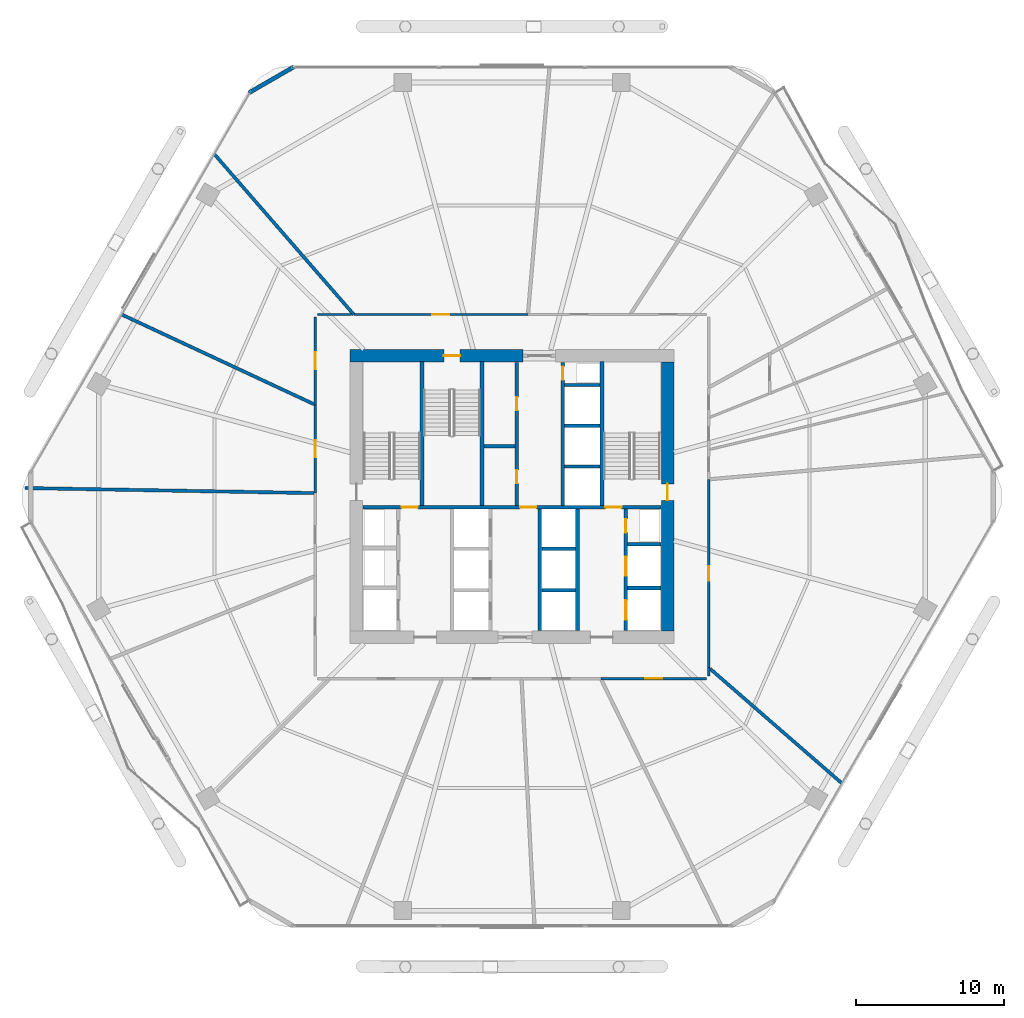
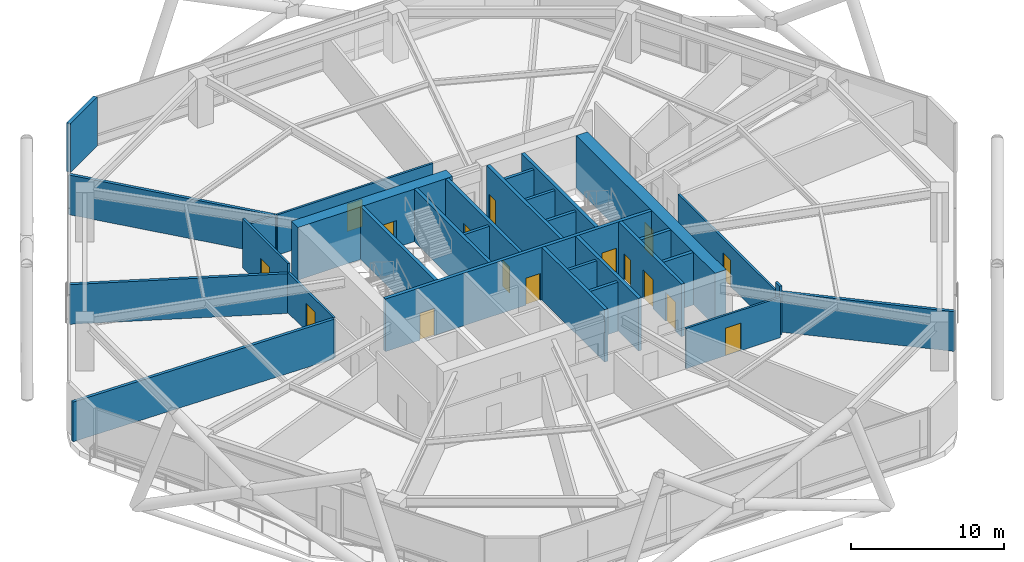
# One storey, part 26 of 31: 31 walls, 16 doors, 16 openings.
"""IFC4 building model written with IfcOpenShell, lengths in metres."""

import ifcopenshell
import ifcopenshell.guid

model = None  # the IFC model being written
_history = None  # IfcOwnerHistory: only IFC2X3 demands one
_inside = {}  # id of a spatial element -> (the spatial element, [elements in it])
_under = {}  # id of a project, library or spatial element -> (it, [spatial elements below it])
_declared = {}  # id of a project -> (the project, [libraries it declares])
_typed = {}  # id of a type object -> (the type object, [elements of that type])
_made_of = {}  # id of a material, layer set ... -> (it, [elements and type objects made of it])


def new_model(schema):
    """Start an empty IFC model of exactly this schema.

    Asked for "IFC4X3", IfcOpenShell would pick the latest addendum, in which some entities
    have other attributes; the version numbers below select the first issue.
    IFC2X3 requires an IfcOwnerHistory on every rooted entity: one is made here for all.
    """
    global model, _history
    if schema == "IFC4X3":
        model = ifcopenshell.file(schema_version=(4, 3, 0, 0))
    else:
        model = ifcopenshell.file(schema=schema)
    _inside.clear()
    _under.clear()
    _declared.clear()
    _typed.clear()
    _made_of.clear()
    _history = None
    if model.schema == "IFC2X3":
        org = make("IfcOrganization", Name="unknown")
        user = make(
            "IfcPersonAndOrganization",
            ThePerson=make("IfcPerson", FamilyName="unknown"),
            TheOrganization=org,
        )
        app = make(
            "IfcApplication",
            ApplicationDeveloper=org,
            Version="unknown",
            ApplicationFullName="unknown",
            ApplicationIdentifier="unknown",
        )
        _history = make(
            "IfcOwnerHistory",
            OwningUser=user,
            OwningApplication=app,
            ChangeAction="ADDED",
            CreationDate=0,
        )
    return model


def make(cls, **values):
    """One entity of the class cls with the attributes given. An attribute that is None is left unset."""
    return model.create_entity(
        cls, **{name: value for name, value in values.items() if value is not None}
    )


def rooted(cls, **values):
    """An entity with a GlobalId (a new one), such as an element, a storey or a relation."""
    return make(cls, GlobalId=ifcopenshell.guid.new(), OwnerHistory=_history, **values)


def si_unit(unit_type, name, prefix=None):
    """IfcSIUnit, for example si_unit("LENGTHUNIT", "METRE", prefix="MILLI")."""
    return make("IfcSIUnit", UnitType=unit_type, Prefix=prefix, Name=name)


def assignment(units):
    """IfcUnitAssignment: the units of a project."""
    return None if units is None else make("IfcUnitAssignment", Units=units)


def point(xyz):
    """IfcCartesianPoint."""
    return None if xyz is None else make("IfcCartesianPoint", Coordinates=xyz)


def direction(xyz):
    """IfcDirection."""
    return None if xyz is None else make("IfcDirection", DirectionRatios=xyz)


def frame(location, z_axis=None, x_axis=None):
    """IfcAxis2Placement3D, a coordinate frame: its origin and axes. An axis left out is left unset."""
    return make(
        "IfcAxis2Placement3D",
        Location=point(location),
        Axis=direction(z_axis),
        RefDirection=direction(x_axis),
    )


def frame_2d(location, x_axis=None):
    """IfcAxis2Placement2D, a coordinate frame in the plane: its origin and x axis."""
    return make(
        "IfcAxis2Placement2D", Location=point(location), RefDirection=direction(x_axis)
    )


def origin():
    """The frame at (0, 0, 0) with its axes left unset."""
    return frame((0.0, 0.0, 0.0))


def place(relative_to, where):
    """IfcLocalPlacement: puts the frame where relative to a parent placement (None: the world)."""
    return make(
        "IfcLocalPlacement", PlacementRelTo=relative_to, RelativePlacement=where
    )


def context(
    kind, dimensions, precision=None, world=None, true_north=None, identifier=None
):
    """IfcGeometricRepresentationContext, for example the 3D "Model" context."""
    return make(
        "IfcGeometricRepresentationContext",
        ContextIdentifier=identifier,
        ContextType=kind,
        CoordinateSpaceDimension=dimensions,
        Precision=precision,
        WorldCoordinateSystem=world,
        TrueNorth=true_north,
    )


def subcontext(parent, identifier, kind, view, scale=None):
    """IfcGeometricRepresentationSubContext, for example "Body" below "Model"."""
    return make(
        "IfcGeometricRepresentationSubContext",
        ContextIdentifier=identifier,
        ContextType=kind,
        ParentContext=parent,
        TargetScale=scale,
        TargetView=view,
    )


def project(units=None, contexts=None):
    """IfcProject with its units and contexts."""
    return rooted(
        "IfcProject",
        Name="project",
        RepresentationContexts=contexts,
        UnitsInContext=assignment(units),
    )


def spatial(cls, under=None, at=None, **own):
    """A site, building, storey or space (cls), placed at a placement, below another one or the project."""
    s = rooted(cls, ObjectPlacement=at, **own)
    if under is not None:
        _under.setdefault(under.id(), (under, []))[1].append(s)
    return s


def profile(cls, at=None, kind="AREA", **sizes):
    """A parametric profile (cls). Its sizes go by their IFC names, for example OverallWidth=200.0."""
    return make(cls, ProfileType=kind, Position=at, **sizes)


def rectangle(**sizes):
    """IfcRectangleProfileDef."""
    return profile("IfcRectangleProfileDef", **sizes)


def extrude(swept, where, along, depth):
    """IfcExtrudedAreaSolid: the profile swept, set in the frame where, extruded along a direction by depth."""
    return make(
        "IfcExtrudedAreaSolid",
        SweptArea=swept,
        Position=where,
        ExtrudedDirection=direction(along),
        Depth=depth,
    )


def shape(context_of_items, identifier, shape_type, items):
    """IfcShapeRepresentation: the items that make up one representation, for example the "Body"."""
    return make(
        "IfcShapeRepresentation",
        ContextOfItems=context_of_items,
        RepresentationIdentifier=identifier,
        RepresentationType=shape_type,
        Items=items,
    )


def material(Name=None, Category=None):
    """IfcMaterial."""
    return make("IfcMaterial", Name=Name, Category=Category)


def layer(
    of_material, thickness, ventilated=None, Name=None, Category=None, Priority=None
):
    """IfcMaterialLayer: one layer of a wall or slab, of a material (None: an air gap)."""
    return make(
        "IfcMaterialLayer",
        Material=of_material,
        LayerThickness=thickness,
        IsVentilated=ventilated,
        Name=Name,
        Category=Category,
        Priority=Priority,
    )


def layer_set(layers, Name=None):
    """IfcMaterialLayerSet."""
    return make("IfcMaterialLayerSet", MaterialLayers=layers, LayerSetName=Name)


def made_of(thing, what):
    """Note that an element or type object is made of a material, layer set ...; save() writes the relation."""
    if what is not None:
        _made_of.setdefault(what.id(), (what, []))[1].append(thing)
    return thing


def type_object(cls, material=None, **own):
    """A type object (cls), such as IfcWallType, which elements share."""
    return made_of(rooted(cls, **own), material)


def element(
    cls,
    number,
    at=None,
    inside=None,
    cuts=None,
    type_object=None,
    material=None,
    context=None,
    identifier="Body",
    shape_type=None,
    held_by="IfcProductDefinitionShape",
    body=None,
    shapes=None,
    **own,
):
    """One element of the class cls, such as IfcWall. Its Tag is "e" and its number.

    at: its placement. inside: the storey or other place that contains it. cuts: it is an
    opening in that element (IfcRelVoidsElement). A single representation is given by context,
    identifier, shape_type and body (its items); several are given by shapes. held_by: the class
    of the entity that holds the representations. save() writes the other relations.
    """
    e = rooted(cls, Tag="e%d" % number, ObjectPlacement=at, **own)
    if body is not None:
        shapes = [shape(context, identifier, shape_type, body)]
    if shapes is not None:
        e.Representation = make(held_by, Representations=shapes)
    if inside is not None:
        _inside.setdefault(inside.id(), (inside, []))[1].append(e)
    if cuts is not None:
        rooted(
            "IfcRelVoidsElement", RelatingBuildingElement=cuts, RelatedOpeningElement=e
        )
    if type_object is not None:
        _typed.setdefault(type_object.id(), (type_object, []))[1].append(e)
    return made_of(e, material)


def fill(opening, filler):
    """IfcRelFillsElement: the door or window that sits in an opening."""
    return rooted(
        "IfcRelFillsElement",
        RelatingOpeningElement=opening,
        RelatedBuildingElement=filler,
    )


def aggregate(whole, parts):
    """IfcRelAggregates: a whole, such as a stair, and the parts it consists of."""
    return rooted("IfcRelAggregates", RelatingObject=whole, RelatedObjects=parts)


def save(model, path):
    """Write the relations noted so far, then the file.

    IfcRelAggregates (storeys below a building ...), IfcRelContainedInSpatialStructure (elements
    in a storey), IfcRelDefinesByType, IfcRelAssociatesMaterial and IfcRelDeclares: one each for
    every whole, place, type object, material and project.
    """
    for whole, parts in _under.values():
        aggregate(whole, parts)
    for where, things in _inside.values():
        rooted(
            "IfcRelContainedInSpatialStructure",
            RelatedElements=things,
            RelatingStructure=where,
        )
    for kind, things in _typed.values():
        rooted("IfcRelDefinesByType", RelatedObjects=things, RelatingType=kind)
    for what, things in _made_of.values():
        rooted("IfcRelAssociatesMaterial", RelatedObjects=things, RelatingMaterial=what)
    for by, libraries in _declared.values():
        rooted("IfcRelDeclares", RelatingContext=by, RelatedDefinitions=libraries)
    model.write(path)


model = new_model("IFC4")

# Units and contexts
model_context = context("Model", 3, precision=1e-05, world=origin(), true_north=direction((0.0, 1.0)))
body_context = subcontext(model_context, "Body", "Model", "MODEL_VIEW")
ifc_project = project(units=[si_unit("LENGTHUNIT", "METRE"), si_unit("AREAUNIT", "SQUARE_METRE"), si_unit("VOLUMEUNIT", "CUBIC_METRE"), si_unit("PLANEANGLEUNIT", "RADIAN"), si_unit("MASSUNIT", "GRAM", prefix="KILO")], contexts=[model_context])

# Site, building, storey
site_placement = place(None, origin())
site = spatial("IfcSite", under=ifc_project, at=site_placement, CompositionType="ELEMENT")
building_placement = place(site_placement, origin())
building = spatial("IfcBuilding", under=site, at=building_placement, Name="Zuhravey Tower", CompositionType="ELEMENT")
storey_placement = place(building_placement, frame((0.0, 0.0, 7.800048828125)))
storey = spatial("IfcBuildingStorey", under=building, at=storey_placement, Name="L02", CompositionType="ELEMENT", Elevation=7.800048828125)

# Wall, opening, door
ifc_material_1 = material(Name="Concrete C60/75", Category="concrete")
ifc_layer_1 = layer(ifc_material_1, 0.85009765625)
ifc_layer_set_1 = layer_set([ifc_layer_1], Name="Concrete C60/75")
wall_type_1 = type_object("IfcWallType", Name="Core Shear Wall 850", PredefinedType="SHEAR", material=ifc_layer_set_1)
wall_1_placement = place(storey_placement, frame((36.75, 41.5, 0.0), z_axis=(0.0, 0.0, 1.0), x_axis=(-1.0, 0.0, 0.0)))
wall_1 = element("IfcWall", 1, at=wall_1_placement, inside=storey, type_object=wall_type_1, Name="L02 North-West Core Shear Wall CW85", PredefinedType="SHEAR", context=body_context, shape_type="SweptSolid", body=[
    extrude(rectangle(XDim=11.675048828125, YDim=0.85009765625, at=frame_2d((5.83740234375, 0.0))), origin(), (0.0, 0.0, 1.0), 4.199951171875),
])
opening_1_placement = place(wall_1_placement, frame((4.25, 0.0, 0.0)))
opening_1 = element("IfcOpeningElement", 2, at=opening_1_placement, cuts=wall_1, Name="Opening STD1", PredefinedType="OPENING", context=body_context, shape_type="SweptSolid", body=[
    extrude(rectangle(XDim=1.10009765625, YDim=2.14990234375, at=frame_2d((0.550048828125, 1.074951171875))), frame((0.0, 0.43701171875, 0.0), z_axis=(0.0, -1.0, 0.0), x_axis=(1.0, 0.0, 0.0)), (0.0, 0.0, 1.0), 0.8740234375),
])
ifc_material_2 = material(Name="Galvanised fire-rated steel leaf", Category="steel")
door_type_1 = type_object("IfcDoorType", Name="Protected Stair Fire Door 1100x2150", OperationType="NOTDEFINED", PredefinedType="USERDEFINED", material=ifc_material_2)
door_1_placement = place(opening_1_placement, origin())
door_1 = element("IfcDoor", 3, at=door_1_placement, inside=storey, type_object=door_type_1, Name="L02 Stair ST3 Door", ObjectType="EXITDOOR", OperationType="SINGLE_SWING_RIGHT", OverallHeight=2.14990234375, OverallWidth=1.10009765625, PredefinedType="USERDEFINED", context=body_context, shape_type="SweptSolid", body=[
    extrude(rectangle(XDim=1.10009765625, YDim=2.14990234375, at=frame_2d((0.550048828125, 1.074951171875))), frame((0.0, 0.02490234375, 0.0), z_axis=(0.0, -1.0, 0.0), x_axis=(1.0, 0.0, 0.0)), (0.0, 0.0, 1.0), 0.050048828125),
])
fill(opening_1, door_1)

wall_2_placement = place(storey_placement, frame((46.5, 22.925048828125, 0.0), z_axis=(0.0, 0.0, 1.0), x_axis=(0.0, 1.0, 0.0)))
wall_2 = element("IfcWall", 4, at=wall_2_placement, inside=storey, type_object=wall_type_1, Name="L02 East Core Shear Wall CW85", PredefinedType="SHEAR", context=body_context, shape_type="SweptSolid", body=[
    extrude(rectangle(XDim=18.14990234375, YDim=0.85009765625, at=frame_2d((9.074951171875, 0.0))), origin(), (0.0, 0.0, 1.0), 4.199951171875),
])
opening_2_placement = place(wall_2_placement, frame((8.824951171875, 0.0, 0.0)))
opening_2 = element("IfcOpeningElement", 5, at=opening_2_placement, cuts=wall_2, Name="Opening STD1", PredefinedType="OPENING", context=body_context, shape_type="SweptSolid", body=[
    extrude(rectangle(XDim=1.10009765625, YDim=2.14990234375, at=frame_2d((0.550048828125, 1.074951171875))), frame((0.0, 0.43701171875, 0.0), z_axis=(0.0, -1.0, 0.0), x_axis=(1.0, 0.0, 0.0)), (0.0, 0.0, 1.0), 0.8740234375),
])
door_2_placement = place(opening_2_placement, origin())
door_2 = element("IfcDoor", 6, at=door_2_placement, inside=storey, type_object=door_type_1, Name="L02 Stair ST2 Door", ObjectType="EXITDOOR", OperationType="SINGLE_SWING_LEFT", OverallHeight=2.14990234375, OverallWidth=1.10009765625, PredefinedType="USERDEFINED", context=body_context, shape_type="SweptSolid", body=[
    extrude(rectangle(XDim=1.10009765625, YDim=2.14990234375, at=frame_2d((0.550048828125, 1.074951171875))), frame((0.0, 0.02490234375, 0.0), z_axis=(0.0, -1.0, 0.0), x_axis=(1.0, 0.0, 0.0)), (0.0, 0.0, 1.0), 0.050048828125),
])
fill(opening_2, door_2)

ifc_material_3 = material(Name="Gypsum fire-rated stud partition")
ifc_layer_2 = layer(ifc_material_3, 0.159912109375)
ifc_layer_set_2 = layer_set([ifc_layer_2], Name="Gypsum fire-rated stud partition")
wall_type_2 = type_object("IfcWallType", Name="Corridor Fire Partition 160", PredefinedType="PARTITIONING", material=ifc_layer_set_2)
wall_3_placement = place(storey_placement, frame((37.07470703125, 44.284912109375, 0.0), z_axis=(0.0, 0.0, 1.0), x_axis=(-1.0, 0.0, 0.0)))
wall_3 = element("IfcWall", 7, at=wall_3_placement, inside=storey, type_object=wall_type_2, Name="L02 IW16 Partition 025", PredefinedType="PARTITIONING", context=body_context, shape_type="SweptSolid", body=[
    extrude(rectangle(XDim=11.75390625, YDim=0.159912109375, at=frame_2d((5.876953125, 0.0))), origin(), (0.0, 0.0, 1.0), 3.219970703125),
])
opening_3_placement = place(wall_3_placement, frame((5.302001953125, 0.0, 0.0)))
opening_3 = element("IfcOpeningElement", 8, at=opening_3_placement, cuts=wall_3, Name="Opening CLD1", PredefinedType="OPENING", context=body_context, shape_type="SweptSolid", body=[
    extrude(rectangle(XDim=1.14990234375, YDim=2.199951171875, at=frame_2d((0.574951171875, 1.10009765625))), frame((0.0, 0.092041015625, 0.0), z_axis=(0.0, -1.0, 0.0), x_axis=(1.0, 0.0, 0.0)), (0.0, 0.0, 1.0), 0.183837890625),
])
ifc_material_4 = material(Name="Acoustic timber leaf with vision lite", Category="wood")
door_type_2 = type_object("IfcDoorType", Name="Classroom Acoustic Door 1150x2200", OperationType="NOTDEFINED", PredefinedType="DOOR", material=ifc_material_4)
door_3_placement = place(opening_3_placement, frame((1.14990234375, 0.0, 0.0), z_axis=(0.0, 0.0, 1.0), x_axis=(-1.0, 0.0, 0.0)))
door_3 = element("IfcDoor", 9, at=door_3_placement, inside=storey, type_object=door_type_2, Name="L02 Door 025.1", OperationType="SINGLE_SWING_RIGHT", OverallHeight=2.199951171875, OverallWidth=1.14990234375, PredefinedType="DOOR", context=body_context, shape_type="SweptSolid", body=[
    extrude(rectangle(XDim=1.14990234375, YDim=2.199951171875, at=frame_2d((0.574951171875, 1.10009765625))), frame((0.0, 0.02490234375, 0.0), z_axis=(0.0, -1.0, 0.0), x_axis=(1.0, 0.0, 0.0)), (0.0, 0.0, 1.0), 0.050048828125),
])
fill(opening_3, door_3)

wall_4_placement = place(storey_placement, frame((22.715087890625, 44.125, 0.0), z_axis=(0.0, 0.0, 1.0), x_axis=(0.0, -1.0, 0.0)))
wall_4 = element("IfcWall", 10, at=wall_4_placement, inside=storey, type_object=wall_type_2, Name="L02 IW16 Partition 026", PredefinedType="PARTITIONING", context=body_context, shape_type="SweptSolid", body=[
    extrude(rectangle(XDim=5.93017578125, YDim=0.159912109375, at=frame_2d((2.965087890625, 0.0))), origin(), (0.0, 0.0, 1.0), 3.919921875),
])
opening_4_placement = place(wall_4_placement, frame((2.39013671875, 0.0, 0.0)))
opening_4 = element("IfcOpeningElement", 11, at=opening_4_placement, cuts=wall_4, Name="Opening CLD1", PredefinedType="OPENING", context=body_context, shape_type="SweptSolid", body=[
    extrude(rectangle(XDim=1.14990234375, YDim=2.199951171875, at=frame_2d((0.574951171875, 1.10009765625))), frame((0.0, 0.092041015625, 0.0), z_axis=(0.0, -1.0, 0.0), x_axis=(1.0, 0.0, 0.0)), (0.0, 0.0, 1.0), 0.183837890625),
])
door_4_placement = place(opening_4_placement, frame((1.14990234375, 0.0, 0.0), z_axis=(0.0, 0.0, 1.0), x_axis=(-1.0, 0.0, 0.0)))
door_4 = element("IfcDoor", 12, at=door_4_placement, inside=storey, type_object=door_type_2, Name="L02 Door 026.1", OperationType="SINGLE_SWING_LEFT", OverallHeight=2.199951171875, OverallWidth=1.14990234375, PredefinedType="DOOR", context=body_context, shape_type="SweptSolid", body=[
    extrude(rectangle(XDim=1.14990234375, YDim=2.199951171875, at=frame_2d((0.574951171875, 1.10009765625))), frame((0.0, 0.02490234375, 0.0), z_axis=(0.0, -1.0, 0.0), x_axis=(1.0, 0.0, 0.0)), (0.0, 0.0, 1.0), 0.050048828125),
])
fill(opening_4, door_4)

wall_5_placement = place(storey_placement, frame((22.715087890625, 38.19482421875, 0.0), z_axis=(0.0, 0.0, 1.0), x_axis=(0.0, -1.0, 0.0)))
wall_5 = element("IfcWall", 13, at=wall_5_placement, inside=storey, type_object=wall_type_2, Name="L02 IW16 Partition 027", PredefinedType="PARTITIONING", context=body_context, shape_type="SweptSolid", body=[
    extrude(rectangle(XDim=5.962890625, YDim=0.159912109375, at=frame_2d((2.9814453125, 0.0))), origin(), (0.0, 0.0, 1.0), 3.219970703125),
])
opening_5_placement = place(wall_5_placement, frame((2.406494140625, 0.0, 0.0)))
opening_5 = element("IfcOpeningElement", 14, at=opening_5_placement, cuts=wall_5, Name="Opening CLD1", PredefinedType="OPENING", context=body_context, shape_type="SweptSolid", body=[
    extrude(rectangle(XDim=1.14990234375, YDim=2.199951171875, at=frame_2d((0.574951171875, 1.10009765625))), frame((0.0, 0.092041015625, 0.0), z_axis=(0.0, -1.0, 0.0), x_axis=(1.0, 0.0, 0.0)), (0.0, 0.0, 1.0), 0.183837890625),
])
door_5_placement = place(opening_5_placement, frame((1.14990234375, 0.0, 0.0), z_axis=(0.0, 0.0, 1.0), x_axis=(-1.0, 0.0, 0.0)))
door_5 = element("IfcDoor", 15, at=door_5_placement, inside=storey, type_object=door_type_2, Name="L02 Door 027.1", OperationType="SINGLE_SWING_RIGHT", OverallHeight=2.199951171875, OverallWidth=1.14990234375, PredefinedType="DOOR", context=body_context, shape_type="SweptSolid", body=[
    extrude(rectangle(XDim=1.14990234375, YDim=2.199951171875, at=frame_2d((0.574951171875, 1.10009765625))), frame((0.0, 0.02490234375, 0.0), z_axis=(0.0, -1.0, 0.0), x_axis=(1.0, 0.0, 0.0)), (0.0, 0.0, 1.0), 0.050048828125),
])
fill(opening_5, door_5)

wall_6_placement = place(storey_placement, frame((41.99169921875, 19.715087890625, 0.0), z_axis=(0.0, 0.0, 1.0), x_axis=(1.0, 0.0, 0.0)))
wall_6 = element("IfcWall", 16, at=wall_6_placement, inside=storey, type_object=wall_type_2, Name="L02 IW16 Partition 033", PredefinedType="PARTITIONING", context=body_context, shape_type="SweptSolid", body=[
    extrude(rectangle(XDim=7.13330078125, YDim=0.159912109375, at=frame_2d((3.566650390625, 0.0))), origin(), (0.0, 0.0, 1.0), 3.219970703125),
])
opening_6_placement = place(wall_6_placement, frame((2.99169921875, 0.0, 0.0)))
opening_6 = element("IfcOpeningElement", 17, at=opening_6_placement, cuts=wall_6, Name="Opening CLD1", PredefinedType="OPENING", context=body_context, shape_type="SweptSolid", body=[
    extrude(rectangle(XDim=1.14990234375, YDim=2.199951171875, at=frame_2d((0.574951171875, 1.10009765625))), frame((0.0, 0.092041015625, 0.0), z_axis=(0.0, -1.0, 0.0), x_axis=(1.0, 0.0, 0.0)), (0.0, 0.0, 1.0), 0.183837890625),
])
door_6_placement = place(opening_6_placement, frame((1.14990234375, 0.0, 0.0), z_axis=(0.0, 0.0, 1.0), x_axis=(-1.0, 0.0, 0.0)))
door_6 = element("IfcDoor", 18, at=door_6_placement, inside=storey, type_object=door_type_2, Name="L02 Door 033.1", OperationType="SINGLE_SWING_RIGHT", OverallHeight=2.199951171875, OverallWidth=1.14990234375, PredefinedType="DOOR", context=body_context, shape_type="SweptSolid", body=[
    extrude(rectangle(XDim=1.14990234375, YDim=2.199951171875, at=frame_2d((0.574951171875, 1.10009765625))), frame((0.0, 0.02490234375, 0.0), z_axis=(0.0, -1.0, 0.0), x_axis=(1.0, 0.0, 0.0)), (0.0, 0.0, 1.0), 0.050048828125),
])
fill(opening_6, door_6)

wall_7_placement = place(storey_placement, frame((49.284912109375, 20.451416015625, 0.0), z_axis=(0.0, 0.0, 1.0), x_axis=(0.0, 1.0, 0.0)))
wall_7 = element("IfcWall", 19, at=wall_7_placement, inside=storey, type_object=wall_type_2, Name="L02 IW16 Partition 034", PredefinedType="PARTITIONING", context=body_context, shape_type="SweptSolid", body=[
    extrude(rectangle(XDim=12.7109375, YDim=0.159912109375, at=frame_2d((6.35546875, 0.0))), origin(), (0.0, 0.0, 1.0), 3.219970703125),
])
opening_7_placement = place(wall_7_placement, frame((5.88037109375, 0.0, 0.0)))
opening_7 = element("IfcOpeningElement", 20, at=opening_7_placement, cuts=wall_7, Name="Opening IND1", PredefinedType="OPENING", context=body_context, shape_type="SweptSolid", body=[
    extrude(rectangle(XDim=0.949951171875, YDim=2.10009765625, at=frame_2d((0.47509765625, 1.050048828125))), frame((0.0, 0.092041015625, 0.0), z_axis=(0.0, -1.0, 0.0), x_axis=(1.0, 0.0, 0.0)), (0.0, 0.0, 1.0), 0.183837890625),
])
ifc_material_5 = material(Name="Painted engineered timber leaf", Category="wood")
door_type_3 = type_object("IfcDoorType", Name="Internal Room & Bedroom Door 950x2100", OperationType="NOTDEFINED", PredefinedType="DOOR", material=ifc_material_5)
door_7_placement = place(opening_7_placement, frame((0.949951171875, 0.0, 0.0), z_axis=(0.0, 0.0, 1.0), x_axis=(-1.0, 0.0, 0.0)))
door_7 = element("IfcDoor", 21, at=door_7_placement, inside=storey, type_object=door_type_3, Name="L02 Door 034.1", OperationType="SINGLE_SWING_LEFT", OverallHeight=2.10009765625, OverallWidth=0.949951171875, PredefinedType="DOOR", context=body_context, shape_type="SweptSolid", body=[
    extrude(rectangle(XDim=0.949951171875, YDim=2.10009765625, at=frame_2d((0.47509765625, 1.050048828125))), frame((0.0, 0.02490234375, 0.0), z_axis=(0.0, -1.0, 0.0), x_axis=(1.0, 0.0, 0.0)), (0.0, 0.0, 1.0), 0.050048828125),
])
fill(opening_7, door_7)

# Walls
wall_8_placement = place(storey_placement, frame((25.164306640625, 44.284912109375, 0.0), z_axis=(0.0, 0.0, 1.0), x_axis=(-1.0, 0.0, 0.0)))
element("IfcWall", 22, at=wall_8_placement, inside=storey, type_object=wall_type_2, Name="L02 IW16 Partition 054", PredefinedType="PARTITIONING", context=body_context, shape_type="SweptSolid", body=[
    extrude(rectangle(XDim=2.289306640625, YDim=0.159912109375, at=frame_2d((1.14453125, 0.0))), origin(), (0.0, 0.0, 1.0), 3.219970703125),
])
wall_9_placement = place(storey_placement, frame((49.284912109375, 19.875, 0.0), z_axis=(0.0, 0.0, 1.0), x_axis=(0.0, 1.0, 0.0)))
element("IfcWall", 23, at=wall_9_placement, inside=storey, type_object=wall_type_2, Name="L02 IW16 Partition 062", PredefinedType="PARTITIONING", context=body_context, shape_type="SweptSolid", body=[
    extrude(rectangle(XDim=0.576416015625, YDim=0.159912109375, at=frame_2d((0.2880859375, 0.0))), origin(), (0.0, 0.0, 1.0), 3.919921875),
])
ifc_material_6 = material(Name="Precast concrete C40/50", Category="concrete")
ifc_layer_3 = layer(ifc_material_6, 0.280029296875)
ifc_layer_set_3 = layer_set([ifc_layer_3], Name="Precast concrete C40/50")
wall_type_3 = type_object("IfcWallType", Name="Crown Architectural Wall 280", PredefinedType="SOLIDWALL", material=ifc_layer_set_3)
wall_10_placement = place(storey_placement, frame((18.23876953125, 59.24853515625, 0.0), z_axis=(0.0, 0.0, 1.0), x_axis=(0.866007452331, 0.500031091541, 0.0)))
element("IfcWall", 24, at=wall_10_placement, inside=storey, type_object=wall_type_3, Name="L02 Rounded Corner Closure Wall EW28-08", PredefinedType="SOLIDWALL", context=body_context, shape_type="SweptSolid", body=[
    extrude(rectangle(XDim=3.514892578125, YDim=0.280029296875, at=frame_2d((1.75732421875, 0.0))), origin(), (0.0, 0.0, 1.0), 3.919921875),
])

# Wall, openings, doors
ifc_material_7 = material(Name="Concrete C50/60", Category="concrete")
ifc_layer_4 = layer(ifc_material_7, 0.25)
ifc_layer_set_4 = layer_set([ifc_layer_4], Name="Concrete C50/60")
wall_type_4 = type_object("IfcWallType", Name="Firefighting Shaft & Stair Wall 250", PredefinedType="SOLIDWALL", material=ifc_layer_set_4)
wall_11_placement = place(storey_placement, frame((25.949951171875, 31.27490234375, 0.0), z_axis=(0.0, 0.0, 1.0), x_axis=(1.0, 0.0, 0.0)))
wall_11 = element("IfcWall", 25, at=wall_11_placement, inside=storey, type_object=wall_type_4, Name="L02 FW25 Shaft Wall 003", PredefinedType="SOLIDWALL", context=body_context, shape_type="SweptSolid", body=[
    extrude(rectangle(XDim=20.10009765625, YDim=0.25, at=frame_2d((10.050048828125, 0.0))), origin(), (0.0, 0.0, 1.0), 4.199951171875),
])
opening_8_placement = place(wall_11_placement, frame((2.60009765625, 0.0, 0.0)))
opening_8 = element("IfcOpeningElement", 26, at=opening_8_placement, cuts=wall_11, Name="Opening STD1", PredefinedType="OPENING", context=body_context, shape_type="SweptSolid", body=[
    extrude(rectangle(XDim=1.10009765625, YDim=2.14990234375, at=frame_2d((0.550048828125, 1.074951171875))), frame((0.0, 0.136962890625, 0.0), z_axis=(0.0, -1.0, 0.0), x_axis=(1.0, 0.0, 0.0)), (0.0, 0.0, 1.0), 0.27392578125),
])
opening_9_placement = place(wall_11_placement, frame((10.60009765625, 0.0, 0.0)))
opening_9 = element("IfcOpeningElement", 27, at=opening_9_placement, cuts=wall_11, Name="Opening STD1", PredefinedType="OPENING", context=body_context, shape_type="SweptSolid", body=[
    extrude(rectangle(XDim=1.10009765625, YDim=2.14990234375, at=frame_2d((0.550048828125, 1.074951171875))), frame((0.0, 0.136962890625, 0.0), z_axis=(0.0, -1.0, 0.0), x_axis=(1.0, 0.0, 0.0)), (0.0, 0.0, 1.0), 0.27392578125),
])
opening_10_placement = place(wall_11_placement, frame((16.35009765625, 0.0, 0.0)))
opening_10 = element("IfcOpeningElement", 28, at=opening_10_placement, cuts=wall_11, Name="Opening STD1", PredefinedType="OPENING", context=body_context, shape_type="SweptSolid", body=[
    extrude(rectangle(XDim=1.10009765625, YDim=2.14990234375, at=frame_2d((0.550048828125, 1.074951171875))), frame((0.0, 0.136962890625, 0.0), z_axis=(0.0, -1.0, 0.0), x_axis=(1.0, 0.0, 0.0)), (0.0, 0.0, 1.0), 0.27392578125),
])
door_8_placement = place(opening_8_placement, origin())
door_8 = element("IfcDoor", 29, at=door_8_placement, inside=storey, type_object=door_type_1, Name="L02 FFL-W to ST1 Door", ObjectType="EXITDOOR", OperationType="SINGLE_SWING_LEFT", OverallHeight=2.14990234375, OverallWidth=1.10009765625, PredefinedType="USERDEFINED", context=body_context, shape_type="SweptSolid", body=[
    extrude(rectangle(XDim=1.10009765625, YDim=2.14990234375, at=frame_2d((0.550048828125, 1.074951171875))), frame((0.0, 0.02490234375, 0.0), z_axis=(0.0, -1.0, 0.0), x_axis=(1.0, 0.0, 0.0)), (0.0, 0.0, 1.0), 0.050048828125),
])
fill(opening_8, door_8)
door_9_placement = place(opening_9_placement, origin())
door_9 = element("IfcDoor", 30, at=door_9_placement, inside=storey, type_object=door_type_1, Name="L02 Core Lobby Link Door", ObjectType="EXITDOOR", OperationType="SINGLE_SWING_RIGHT", OverallHeight=2.14990234375, OverallWidth=1.10009765625, PredefinedType="USERDEFINED", context=body_context, shape_type="SweptSolid", body=[
    extrude(rectangle(XDim=1.10009765625, YDim=2.14990234375, at=frame_2d((0.550048828125, 1.074951171875))), frame((0.0, 0.02490234375, 0.0), z_axis=(0.0, -1.0, 0.0), x_axis=(1.0, 0.0, 0.0)), (0.0, 0.0, 1.0), 0.050048828125),
])
fill(opening_9, door_9)
door_10_placement = place(opening_10_placement, origin())
door_10 = element("IfcDoor", 31, at=door_10_placement, inside=storey, type_object=door_type_1, Name="L02 FFL-E to ST2 Door", ObjectType="EXITDOOR", OperationType="SINGLE_SWING_LEFT", OverallHeight=2.14990234375, OverallWidth=1.10009765625, PredefinedType="USERDEFINED", context=body_context, shape_type="SweptSolid", body=[
    extrude(rectangle(XDim=1.10009765625, YDim=2.14990234375, at=frame_2d((0.550048828125, 1.074951171875))), frame((0.0, 0.02490234375, 0.0), z_axis=(0.0, -1.0, 0.0), x_axis=(1.0, 0.0, 0.0)), (0.0, 0.0, 1.0), 0.050048828125),
])
fill(opening_10, door_10)

# Walls
for number, where, z_axis, x_axis, name in (
    (32, (29.925048828125, 31.39990234375, 0.0), (0.0, 0.0, 1.0), (0.0, 1.0, 0.0), "L02 FW25 Shaft Wall 004"),
    (33, (33.97509765625, 31.39990234375, 0.0), (0.0, 0.0, 1.0), (0.0, 1.0, 0.0), "L02 FW25 Shaft Wall 005"),
    (34, (42.074951171875, 31.39990234375, 0.0), (0.0, 0.0, 1.0), (0.0, 1.0, 0.0), "L02 FW25 Shaft Wall 006"),
):
    element("IfcWall", number, at=place(storey_placement, frame(where, z_axis=z_axis, x_axis=x_axis)), inside=storey, type_object=wall_type_4, Name=name, PredefinedType="SOLIDWALL", context=body_context, shape_type="SweptSolid", body=[
        extrude(rectangle(XDim=9.7001953125, YDim=0.25, at=frame_2d((4.85009765625, 0.0))), origin(), (0.0, 0.0, 1.0), 4.199951171875),
    ])

# Wall, openings, doors
wall_12_placement = place(storey_placement, frame((36.324951171875, 31.39990234375, 0.0), z_axis=(0.0, 0.0, 1.0), x_axis=(0.0, 1.0, 0.0)))
wall_12 = element("IfcWall", 35, at=wall_12_placement, inside=storey, type_object=wall_type_4, Name="L02 FW25 Shaft Wall 007", PredefinedType="SOLIDWALL", context=body_context, shape_type="SweptSolid", body=[
    extrude(rectangle(XDim=9.650146484375, YDim=0.25, at=frame_2d((4.8251953125, 0.0))), origin(), (0.0, 0.0, 1.0), 4.199951171875),
])
opening_11_placement = place(wall_12_placement, frame((1.489990234375, 0.0, 0.0)))
opening_11 = element("IfcOpeningElement", 36, at=opening_11_placement, cuts=wall_12, Name="Opening RSD1", PredefinedType="OPENING", context=body_context, shape_type="SweptSolid", body=[
    extrude(rectangle(XDim=0.89990234375, YDim=2.10009765625, at=frame_2d((0.449951171875, 1.050048828125))), frame((0.0, 0.136962890625, 0.0), z_axis=(0.0, -1.0, 0.0), x_axis=(1.0, 0.0, 0.0)), (0.0, 0.0, 1.0), 0.27392578125),
])
opening_12_placement = place(wall_12_placement, frame((6.409912109375, 0.0, 0.0)))
opening_12 = element("IfcOpeningElement", 37, at=opening_12_placement, cuts=wall_12, Name="Opening RSD1", PredefinedType="OPENING", context=body_context, shape_type="SweptSolid", body=[
    extrude(rectangle(XDim=0.89990234375, YDim=2.10009765625, at=frame_2d((0.449951171875, 1.050048828125))), frame((0.0, 0.136962890625, 0.0), z_axis=(0.0, -1.0, 0.0), x_axis=(1.0, 0.0, 0.0)), (0.0, 0.0, 1.0), 0.27392578125),
])
ifc_material_8 = material(Name="Galvanised fire-rated steel access leaf", Category="steel")
door_type_4 = type_object("IfcDoorType", Name="Riser & Shaft Access Fire Door 900x2100", OperationType="NOTDEFINED", PredefinedType="DOOR", material=ifc_material_8)
door_11_placement = place(opening_11_placement, origin())
door_11 = element("IfcDoor", 38, at=door_11_placement, inside=storey, type_object=door_type_4, Name="L02 Core Cleaner Store Door", OperationType="SINGLE_SWING_RIGHT", OverallHeight=2.10009765625, OverallWidth=0.89990234375, PredefinedType="DOOR", context=body_context, shape_type="SweptSolid", body=[
    extrude(rectangle(XDim=0.89990234375, YDim=2.10009765625, at=frame_2d((0.449951171875, 1.050048828125))), frame((0.0, 0.02490234375, 0.0), z_axis=(0.0, -1.0, 0.0), x_axis=(1.0, 0.0, 0.0)), (0.0, 0.0, 1.0), 0.050048828125),
])
fill(opening_11, door_11)
door_12_placement = place(opening_12_placement, origin())
door_12 = element("IfcDoor", 39, at=door_12_placement, inside=storey, type_object=door_type_4, Name="L02 Core Pantry and Tea Room Door", OperationType="SINGLE_SWING_LEFT", OverallHeight=2.10009765625, OverallWidth=0.89990234375, PredefinedType="DOOR", context=body_context, shape_type="SweptSolid", body=[
    extrude(rectangle(XDim=0.89990234375, YDim=2.10009765625, at=frame_2d((0.449951171875, 1.050048828125))), frame((0.0, 0.02490234375, 0.0), z_axis=(0.0, -1.0, 0.0), x_axis=(1.0, 0.0, 0.0)), (0.0, 0.0, 1.0), 0.050048828125),
])
fill(opening_12, door_12)

# Wall, opening, door
wall_13_placement = place(storey_placement, frame((39.425048828125, 31.39990234375, 0.0), z_axis=(0.0, 0.0, 1.0), x_axis=(0.0, 1.0, 0.0)))
wall_13 = element("IfcWall", 40, at=wall_13_placement, inside=storey, type_object=wall_type_4, Name="L02 FW25 Shaft Wall 008", PredefinedType="SOLIDWALL", context=body_context, shape_type="SweptSolid", body=[
    extrude(rectangle(XDim=9.650146484375, YDim=0.25, at=frame_2d((4.8251953125, 0.0))), origin(), (0.0, 0.0, 1.0), 4.199951171875),
])
opening_13_placement = place(wall_13_placement, frame((8.469970703125, 0.0, 0.0)))
opening_13 = element("IfcOpeningElement", 41, at=opening_13_placement, cuts=wall_13, Name="Opening RSD1", PredefinedType="OPENING", context=body_context, shape_type="SweptSolid", body=[
    extrude(rectangle(XDim=0.89990234375, YDim=2.10009765625, at=frame_2d((0.449951171875, 1.050048828125))), frame((0.0, 0.136962890625, 0.0), z_axis=(0.0, -1.0, 0.0), x_axis=(1.0, 0.0, 0.0)), (0.0, 0.0, 1.0), 0.27392578125),
])
door_13_placement = place(opening_13_placement, origin())
door_13 = element("IfcDoor", 42, at=door_13_placement, inside=storey, type_object=door_type_4, Name="L02 North Riser Door", OperationType="SINGLE_SWING_RIGHT", OverallHeight=2.10009765625, OverallWidth=0.89990234375, PredefinedType="DOOR", context=body_context, shape_type="SweptSolid", body=[
    extrude(rectangle(XDim=0.89990234375, YDim=2.10009765625, at=frame_2d((0.449951171875, 1.050048828125))), frame((0.0, 0.02490234375, 0.0), z_axis=(0.0, -1.0, 0.0), x_axis=(1.0, 0.0, 0.0)), (0.0, 0.0, 1.0), 0.050048828125),
])
fill(opening_13, door_13)

# Walls
for number, where, z_axis, x_axis, name in (
    (43, (37.875, 22.949951171875, 0.0), (0.0, 0.0, 1.0), (0.0, 1.0, 0.0), "L02 FW25 Shaft Wall 014"),
    (44, (40.425048828125, 22.949951171875, 0.0), (0.0, 0.0, 1.0), (0.0, 1.0, 0.0), "L02 FW25 Shaft Wall 015"),
):
    element("IfcWall", number, at=place(storey_placement, frame(where, z_axis=z_axis, x_axis=x_axis)), inside=storey, type_object=wall_type_4, Name=name, PredefinedType="SOLIDWALL", context=body_context, shape_type="SweptSolid", body=[
        extrude(rectangle(XDim=8.199951171875, YDim=0.25, at=frame_2d((4.10009765625, 0.0))), origin(), (0.0, 0.0, 1.0), 4.199951171875),
    ])
for number, where, z_axis, x_axis, name in (
    (45, (43.800048828125, 25.824951171875, 0.0), (0.0, 0.0, 1.0), (1.0, 0.0, 0.0), "L02 FW25 Shaft Wall 016"),
    (46, (43.800048828125, 28.77490234375, 0.0), (0.0, 0.0, 1.0), (1.0, 0.0, 0.0), "L02 FW25 Shaft Wall 017"),
):
    element("IfcWall", number, at=place(storey_placement, frame(where, z_axis=z_axis, x_axis=x_axis)), inside=storey, type_object=wall_type_4, Name=name, PredefinedType="SOLIDWALL", context=body_context, shape_type="SweptSolid", body=[
        extrude(rectangle(XDim=2.25, YDim=0.25, at=frame_2d((1.125, 0.0))), origin(), (0.0, 0.0, 1.0), 4.199951171875),
    ])

# Wall, openings, doors
wall_14_placement = place(storey_placement, frame((43.675048828125, 22.949951171875, 0.0), z_axis=(0.0, 0.0, 1.0), x_axis=(0.0, 1.0, 0.0)))
wall_14 = element("IfcWall", 47, at=wall_14_placement, inside=storey, type_object=wall_type_4, Name="L02 FW25 Shaft Wall 018", PredefinedType="SOLIDWALL", context=body_context, shape_type="SweptSolid", body=[
    extrude(rectangle(XDim=8.199951171875, YDim=0.25, at=frame_2d((4.10009765625, 0.0))), origin(), (0.0, 0.0, 1.0), 4.199951171875),
])
opening_14_placement = place(wall_14_placement, frame((0.75, 0.0, 0.0)))
opening_14 = element("IfcOpeningElement", 48, at=opening_14_placement, cuts=wall_14, Name="Opening LD2", PredefinedType="OPENING", context=body_context, shape_type="SweptSolid", body=[
    extrude(rectangle(XDim=1.300048828125, YDim=2.300048828125, at=frame_2d((0.64990234375, 1.14990234375))), frame((0.0, 0.136962890625, 0.0), z_axis=(0.0, -1.0, 0.0), x_axis=(1.0, 0.0, 0.0)), (0.0, 0.0, 1.0), 0.27392578125),
])
opening_15_placement = place(wall_14_placement, frame((3.699951171875, 0.0, 0.0)))
opening_15 = element("IfcOpeningElement", 49, at=opening_15_placement, cuts=wall_14, Name="Opening LD2", PredefinedType="OPENING", context=body_context, shape_type="SweptSolid", body=[
    extrude(rectangle(XDim=1.300048828125, YDim=2.300048828125, at=frame_2d((0.64990234375, 1.14990234375))), frame((0.0, 0.136962890625, 0.0), z_axis=(0.0, -1.0, 0.0), x_axis=(1.0, 0.0, 0.0)), (0.0, 0.0, 1.0), 0.27392578125),
])
opening_16_placement = place(wall_14_placement, frame((6.6201171875, 0.0, 0.0)))
opening_16 = element("IfcOpeningElement", 50, at=opening_16_placement, cuts=wall_14, Name="Opening RSD1", PredefinedType="OPENING", context=body_context, shape_type="SweptSolid", body=[
    extrude(rectangle(XDim=0.89990234375, YDim=2.10009765625, at=frame_2d((0.449951171875, 1.050048828125))), frame((0.0, 0.136962890625, 0.0), z_axis=(0.0, -1.0, 0.0), x_axis=(1.0, 0.0, 0.0)), (0.0, 0.0, 1.0), 0.27392578125),
])
ifc_material_9 = material(Name="Brushed stainless steel", Category="steel")
door_type_5 = type_object("IfcDoorType", Name="Freight & Stretcher Lift Sliding Door 1300x2300", OperationType="DOUBLE_DOOR_SLIDING", PredefinedType="DOOR", material=ifc_material_9)
door_14_placement = place(opening_14_placement, origin())
door_14 = element("IfcDoor", 51, at=door_14_placement, inside=storey, type_object=door_type_5, Name="L02 Lift FF2 Landing Door", OperationType="DOUBLE_DOOR_SLIDING", OverallHeight=2.300048828125, OverallWidth=1.300048828125, PredefinedType="DOOR", context=body_context, shape_type="SweptSolid", body=[
    extrude(rectangle(XDim=1.300048828125, YDim=2.300048828125, at=frame_2d((0.64990234375, 1.14990234375))), frame((0.0, 0.02490234375, 0.0), z_axis=(0.0, -1.0, 0.0), x_axis=(1.0, 0.0, 0.0)), (0.0, 0.0, 1.0), 0.050048828125),
])
fill(opening_14, door_14)
door_15_placement = place(opening_15_placement, origin())
door_15 = element("IfcDoor", 52, at=door_15_placement, inside=storey, type_object=door_type_5, Name="L02 Lift SV1 Landing Door", OperationType="DOUBLE_DOOR_SLIDING", OverallHeight=2.300048828125, OverallWidth=1.300048828125, PredefinedType="DOOR", context=body_context, shape_type="SweptSolid", body=[
    extrude(rectangle(XDim=1.300048828125, YDim=2.300048828125, at=frame_2d((0.64990234375, 1.14990234375))), frame((0.0, 0.02490234375, 0.0), z_axis=(0.0, -1.0, 0.0), x_axis=(1.0, 0.0, 0.0)), (0.0, 0.0, 1.0), 0.050048828125),
])
fill(opening_15, door_15)
door_16_placement = place(opening_16_placement, origin())
door_16 = element("IfcDoor", 53, at=door_16_placement, inside=storey, type_object=door_type_4, Name="L02 Plumbing Riser Door", OperationType="SINGLE_SWING_LEFT", OverallHeight=2.10009765625, OverallWidth=0.89990234375, PredefinedType="DOOR", context=body_context, shape_type="SweptSolid", body=[
    extrude(rectangle(XDim=0.89990234375, YDim=2.10009765625, at=frame_2d((0.449951171875, 1.050048828125))), frame((0.0, 0.02490234375, 0.0), z_axis=(0.0, -1.0, 0.0), x_axis=(1.0, 0.0, 0.0)), (0.0, 0.0, 1.0), 0.050048828125),
])
fill(opening_16, door_16)

# Walls
ifc_material_10 = material(Name="Gypsum acoustic stud assembly")
ifc_layer_5 = layer(ifc_material_10, 0.219970703125)
ifc_layer_set_5 = layer_set([ifc_layer_5], Name="Gypsum acoustic stud assembly")
wall_type_5 = type_object("IfcWallType", Name="School Acoustic Compartment Wall 220", PredefinedType="PARTITIONING", material=ifc_layer_set_5)
wall_15_placement = place(storey_placement, frame((34.10791015625, 35.39990234375, 0.0), z_axis=(0.0, 0.0, 1.0), x_axis=(1.0, 0.0, 0.0)))
element("IfcWall", 54, at=wall_15_placement, inside=storey, type_object=wall_type_5, Name="L02 IW22 Partition 035", PredefinedType="PARTITIONING", context=body_context, shape_type="SweptSolid", body=[
    extrude(rectangle(XDim=2.083984375, YDim=0.219970703125, at=frame_2d((1.0419921875, 0.0))), origin(), (0.0, 0.0, 1.0), 3.919921875),
])
for number, where, z_axis, x_axis, name in (
    (55, (39.55810546875, 34.02490234375, 0.0), (0.0, 0.0, 1.0), (1.0, 0.0, 0.0), "L02 IW22 Partition 036"),
    (56, (39.55810546875, 36.77490234375, 0.0), (0.0, 0.0, 1.0), (1.0, 0.0, 0.0), "L02 IW22 Partition 037"),
    (57, (39.55810546875, 39.52490234375, 0.0), (0.0, 0.0, 1.0), (1.0, 0.0, 0.0), "L02 IW22 Partition 038"),
):
    element("IfcWall", number, at=place(storey_placement, frame(where, z_axis=z_axis, x_axis=x_axis)), inside=storey, type_object=wall_type_5, Name=name, PredefinedType="PARTITIONING", context=body_context, shape_type="SweptSolid", body=[
        extrude(rectangle(XDim=2.3837890625, YDim=0.219970703125, at=frame_2d((1.19189453125, 0.0))), origin(), (0.0, 0.0, 1.0), 3.919921875),
    ])
for number, where, z_axis, x_axis, name in (
    (58, (38.008056640625, 25.675048828125, 0.0), (0.0, 0.0, 1.0), (1.0, 0.0, 0.0), "L02 IW22 Partition 041"),
    (59, (38.008056640625, 28.47509765625, 0.0), (0.0, 0.0, 1.0), (1.0, 0.0, 0.0), "L02 IW22 Partition 042"),
):
    element("IfcWall", number, at=place(storey_placement, frame(where, z_axis=z_axis, x_axis=x_axis)), inside=storey, type_object=wall_type_5, Name=name, PredefinedType="PARTITIONING", context=body_context, shape_type="SweptSolid", body=[
        extrude(rectangle(XDim=2.283935546875, YDim=0.219970703125, at=frame_2d((1.14208984375, 0.0))), origin(), (0.0, 0.0, 1.0), 3.919921875),
    ])
wall_16_placement = place(storey_placement, frame((25.32080078125, 44.284912109375, 0.0), z_axis=(0.0, 0.0, 1.0), x_axis=(-0.656060762546, 0.754708073263, 0.0)))
element("IfcWall", 60, at=wall_16_placement, inside=storey, type_object=wall_type_5, Name="L02 IW22 Partition 052", PredefinedType="PARTITIONING", context=body_context, shape_type="SweptSolid", body=[
    extrude(rectangle(XDim=14.349365234375, YDim=0.219970703125, at=frame_2d((7.1748046875, 0.0))), origin(), (0.0, 0.0, 1.0), 3.169921875),
])
wall_17_placement = place(storey_placement, frame((22.626953125, 38.236083984375, 0.0), z_axis=(0.0, 0.0, 1.0), x_axis=(-0.906309468756, 0.422614655263, 0.0)))
element("IfcWall", 61, at=wall_17_placement, inside=storey, type_object=wall_type_5, Name="L02 IW22 Partition 053", PredefinedType="PARTITIONING", context=body_context, shape_type="SweptSolid", body=[
    extrude(rectangle(XDim=14.3134765625, YDim=0.219970703125, at=frame_2d((7.15673828125, 0.0))), origin(), (0.0, 0.0, 1.0), 3.169921875),
])
wall_18_placement = place(storey_placement, frame((22.626953125, 32.2333984375, 0.0), z_axis=(0.0, 0.0, 1.0), x_axis=(-0.999847613209, 0.017457100559, 0.0)))
element("IfcWall", 62, at=wall_18_placement, inside=storey, type_object=wall_type_5, Name="L02 IW22 Partition 055", PredefinedType="PARTITIONING", context=body_context, shape_type="SweptSolid", body=[
    extrude(rectangle(XDim=19.50927734375, YDim=0.219970703125, at=frame_2d((9.754638671875, 0.0))), origin(), (0.0, 0.0, 1.0), 3.169921875),
])
wall_19_placement = place(storey_placement, frame((49.373046875, 20.375, 0.0), z_axis=(0.0, 0.0, 1.0), x_axis=(0.754715261602, -0.656052493254, 0.0)))
element("IfcWall", 63, at=wall_19_placement, inside=storey, type_object=wall_type_5, Name="L02 IW22 Partition 063", PredefinedType="PARTITIONING", context=body_context, shape_type="SweptSolid", body=[
    extrude(rectangle(XDim=11.781005859375, YDim=0.219970703125, at=frame_2d((5.890625, 0.0))), origin(), (0.0, 0.0, 1.0), 3.169921875),
])

save(model, "model.ifc")
